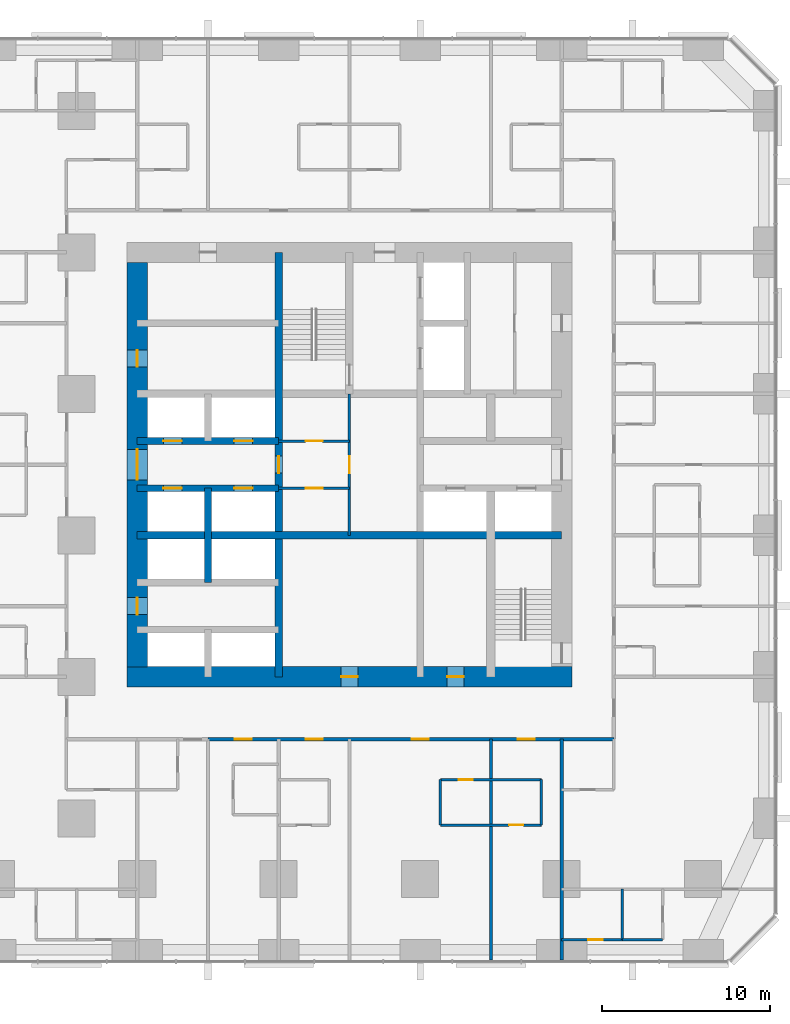
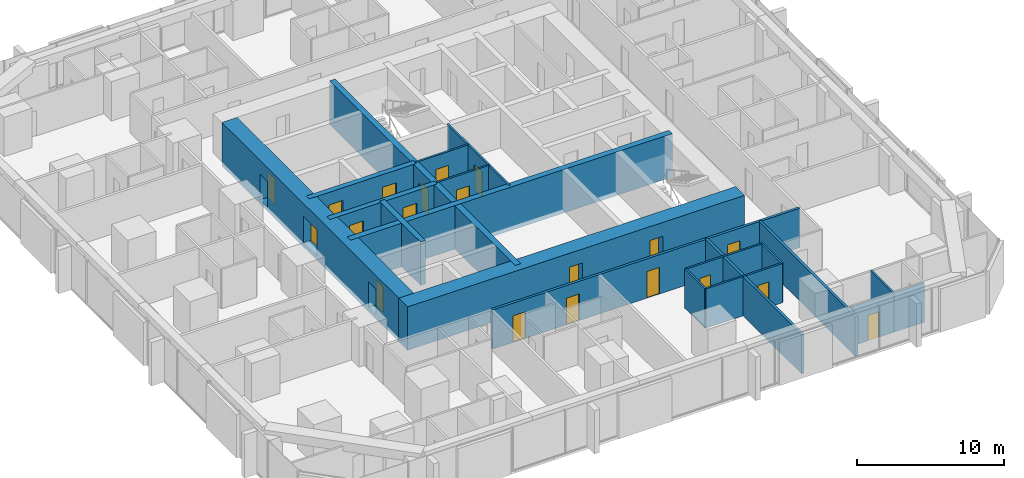
# One storey, part 9 of 13: 20 doors, 20 walls, 20 openings.
"""IFC4 building model written with IfcOpenShell, lengths in metres."""

from ifc_helpers import new_model, si_unit, direction, frame, frame_2d, origin, place, context, subcontext, project, spatial, rectangle, extrude, material, layer, layer_set, type_object, element, fill, save


model = new_model("IFC4")

# Units and contexts
model_context = context("Model", 3, precision=1e-05, world=origin(), true_north=direction((0.0, 1.0)))
body_context = subcontext(model_context, "Body", "Model", "MODEL_VIEW")
ifc_project = project(units=[si_unit("LENGTHUNIT", "METRE"), si_unit("AREAUNIT", "SQUARE_METRE"), si_unit("VOLUMEUNIT", "CUBIC_METRE"), si_unit("PLANEANGLEUNIT", "RADIAN"), si_unit("MASSUNIT", "GRAM", prefix="KILO")], contexts=[model_context])

# Site, building, storey
site_placement = place(None, origin())
site = spatial("IfcSite", under=ifc_project, at=site_placement, CompositionType="ELEMENT")
building_placement = place(site_placement, origin())
building = spatial("IfcBuilding", under=site, at=building_placement, Name="Dunama Terrace Hotel", CompositionType="ELEMENT")
storey_placement = place(building_placement, frame((0.0, 0.0, 144.0)))
storey = spatial("IfcBuildingStorey", under=building, at=storey_placement, Name="L37", CompositionType="ELEMENT", Elevation=144.0)

# Walls
ifc_material_1 = material(Name="Gypsum board partition", Category="masonry")
ifc_layer_1 = layer(ifc_material_1, 0.14990234375)
ifc_layer_set_1 = layer_set([ifc_layer_1], Name="Bathroom partition 150")
wall_type_1 = type_object("IfcWallType", Name="Bathroom partition 150", PredefinedType="PARTITIONING", material=ifc_layer_set_1)
for number, where, z_axis, x_axis, name in (
    (1, (34.800048828125, 8.0, 0.0), (0.0, 0.0, 1.0), (0.0, 1.0, 0.0), "Bathroom partition 150 L37"),
    (2, (40.800048828125, 8.0, 0.0), (0.0, 0.0, 1.0), (0.0, 1.0, 0.0), "Bathroom partition 150 L37"),
):
    element("IfcWall", number, at=place(storey_placement, frame(where, z_axis=z_axis, x_axis=x_axis)), inside=storey, type_object=wall_type_1, Name=name, PredefinedType="PARTITIONING", context=body_context, shape_type="SweptSolid", body=[
        extrude(rectangle(XDim=2.699951171875, YDim=0.14990234375, at=frame_2d((1.35009765625, 0.0))), origin(), (0.0, 0.0, 1.0), 3.25),
    ])

# Wall, opening, door
wall_1_placement = place(storey_placement, frame((42.0, 1.199951171875, 0.0), z_axis=(0.0, 0.0, 1.0), x_axis=(1.0, 0.0, 0.0)))
wall_1 = element("IfcWall", 3, at=wall_1_placement, inside=storey, type_object=wall_type_1, Name="Bathroom partition 150 L37", PredefinedType="PARTITIONING", context=body_context, shape_type="SweptSolid", body=[
    extrude(rectangle(XDim=3.60009765625, YDim=0.14990234375, at=frame_2d((1.800048828125, 0.0))), origin(), (0.0, 0.0, 1.0), 3.25),
])
opening_1_placement = place(wall_1_placement, frame((1.574951171875, 0.0, 0.0)))
opening_1 = element("IfcOpeningElement", 4, at=opening_1_placement, cuts=wall_1, Name="Opening L37-057", PredefinedType="OPENING", context=body_context, shape_type="SweptSolid", body=[
    extrude(rectangle(XDim=0.85009765625, YDim=2.10009765625, at=frame_2d((0.425048828125, 1.050048828125))), frame((0.0, 0.0849609375, 0.0), z_axis=(0.0, -1.0, 0.0), x_axis=(1.0, 0.0, 0.0)), (0.0, 0.0, 1.0), 0.169921875),
])
ifc_material_2 = material(Name="Timber door with steel frame", Category="steel")
door_type_1 = type_object("IfcDoorType", Name="Bathroom door 850", OperationType="SINGLE_SWING_LEFT", PredefinedType="DOOR", material=ifc_material_2)
door_1_placement = place(opening_1_placement, origin())
door_1 = element("IfcDoor", 5, at=door_1_placement, inside=storey, type_object=door_type_1, Name="Door to en-suite bathroom L37-057, type D2", OperationType="SINGLE_SWING_LEFT", OverallHeight=2.10009765625, OverallWidth=0.85009765625, PredefinedType="DOOR", context=body_context, shape_type="SweptSolid", body=[
    extrude(rectangle(XDim=0.85009765625, YDim=2.10009765625, at=frame_2d((0.425048828125, 1.050048828125))), frame((0.0, 0.02490234375, 0.0), z_axis=(0.0, -1.0, 0.0), x_axis=(1.0, 0.0, 0.0)), (0.0, 0.0, 1.0), 0.050048828125),
])
fill(opening_1, door_1)

wall_2_placement = place(storey_placement, frame((34.800048828125, 8.0, 0.0), z_axis=(0.0, 0.0, 1.0), x_axis=(1.0, 0.0, 0.0)))
wall_2 = element("IfcWall", 6, at=wall_2_placement, inside=storey, type_object=wall_type_1, Name="Bathroom partition 150 L37", PredefinedType="PARTITIONING", context=body_context, shape_type="SweptSolid", body=[
    extrude(rectangle(XDim=6.0, YDim=0.14990234375, at=frame_2d((3.0, 0.0))), origin(), (0.0, 0.0, 1.0), 3.25),
])
opening_2_placement = place(wall_2_placement, frame((4.074951171875, 0.0, 0.0)))
opening_2 = element("IfcOpeningElement", 7, at=opening_2_placement, cuts=wall_2, Name="Opening L37-020", PredefinedType="OPENING", context=body_context, shape_type="SweptSolid", body=[
    extrude(rectangle(XDim=0.85009765625, YDim=2.10009765625, at=frame_2d((0.425048828125, 1.050048828125))), frame((0.0, 0.0849609375, 0.0), z_axis=(0.0, -1.0, 0.0), x_axis=(1.0, 0.0, 0.0)), (0.0, 0.0, 1.0), 0.169921875),
])
door_2_placement = place(opening_2_placement, origin())
door_2 = element("IfcDoor", 8, at=door_2_placement, inside=storey, type_object=door_type_1, Name="Door to en-suite bathroom L37-020, type D2", OperationType="SINGLE_SWING_LEFT", OverallHeight=2.10009765625, OverallWidth=0.85009765625, PredefinedType="DOOR", context=body_context, shape_type="SweptSolid", body=[
    extrude(rectangle(XDim=0.85009765625, YDim=2.10009765625, at=frame_2d((0.425048828125, 1.050048828125))), frame((0.0, 0.02490234375, 0.0), z_axis=(0.0, -1.0, 0.0), x_axis=(1.0, 0.0, 0.0)), (0.0, 0.0, 1.0), 0.050048828125),
])
fill(opening_2, door_2)

wall_3_placement = place(storey_placement, frame((34.800048828125, 10.699951171875, 0.0), z_axis=(0.0, 0.0, 1.0), x_axis=(1.0, 0.0, 0.0)))
wall_3 = element("IfcWall", 9, at=wall_3_placement, inside=storey, type_object=wall_type_1, Name="Bathroom partition 150 L37", PredefinedType="PARTITIONING", context=body_context, shape_type="SweptSolid", body=[
    extrude(rectangle(XDim=6.0, YDim=0.14990234375, at=frame_2d((3.0, 0.0))), origin(), (0.0, 0.0, 1.0), 3.25),
])
opening_3_placement = place(wall_3_placement, frame((1.074951171875, 0.0, 0.0)))
opening_3 = element("IfcOpeningElement", 10, at=opening_3_placement, cuts=wall_3, Name="Opening L37-018", PredefinedType="OPENING", context=body_context, shape_type="SweptSolid", body=[
    extrude(rectangle(XDim=0.85009765625, YDim=2.10009765625, at=frame_2d((0.425048828125, 1.050048828125))), frame((0.0, 0.0849609375, 0.0), z_axis=(0.0, -1.0, 0.0), x_axis=(1.0, 0.0, 0.0)), (0.0, 0.0, 1.0), 0.169921875),
])
door_3_placement = place(opening_3_placement, frame((0.85009765625, 0.0, 0.0), z_axis=(0.0, 0.0, 1.0), x_axis=(-1.0, 0.0, 0.0)))
door_3 = element("IfcDoor", 11, at=door_3_placement, inside=storey, type_object=door_type_1, Name="Door to en-suite bathroom L37-018, type D2", OperationType="SINGLE_SWING_LEFT", OverallHeight=2.10009765625, OverallWidth=0.85009765625, PredefinedType="DOOR", context=body_context, shape_type="SweptSolid", body=[
    extrude(rectangle(XDim=0.85009765625, YDim=2.10009765625, at=frame_2d((0.425048828125, 1.050048828125))), frame((0.0, 0.025146484375, 0.0), z_axis=(0.0, -1.0, 0.0), x_axis=(1.0, 0.0, 0.0)), (0.0, 0.0, 1.0), 0.050048828125),
])
fill(opening_3, door_3)

# Wall
ifc_material_3 = material(Name="Concrete C50/60", Category="concrete")
ifc_layer_2 = layer(ifc_material_3, 0.39990234375)
ifc_layer_set_2 = layer_set([ifc_layer_2], Name="Core inner wall 400")
wall_type_2 = type_object("IfcWallType", Name="Core inner wall 400", PredefinedType="SHEAR", material=ifc_layer_set_2)
wall_4_placement = place(storey_placement, frame((21.0, 22.39990234375, -0.35009765625), z_axis=(0.0, 0.0, 1.0), x_axis=(0.0, 1.0, 0.0)))
element("IfcWall", 12, at=wall_4_placement, inside=storey, type_object=wall_type_2, Name="Core inner wall 400 L37", PredefinedType="SHEAR", context=body_context, shape_type="SweptSolid", body=[
    extrude(rectangle(XDim=5.60009765625, YDim=0.39990234375, at=frame_2d((2.800048828125, 0.0))), origin(), (0.0, 0.0, 1.0), 3.60009765625),
])

# Wall, openings, doors
wall_5_placement = place(storey_placement, frame((16.800048828125, 28.0, -0.35009765625), z_axis=(0.0, 0.0, 1.0), x_axis=(1.0, 0.0, 0.0)))
wall_5 = element("IfcWall", 13, at=wall_5_placement, inside=storey, type_object=wall_type_2, Name="Core inner wall 400 L37", PredefinedType="SHEAR", context=body_context, shape_type="SweptSolid", body=[
    extrude(rectangle(XDim=8.39990234375, YDim=0.39990234375, at=frame_2d((4.199951171875, 0.0))), origin(), (0.0, 0.0, 1.0), 3.60009765625),
])
opening_4_placement = place(wall_5_placement, frame((1.550048828125, 0.0, 0.35009765625)))
opening_4 = element("IfcOpeningElement", 14, at=opening_4_placement, cuts=wall_5, Name="Opening L37-005", PredefinedType="OPENING", context=body_context, shape_type="SweptSolid", body=[
    extrude(rectangle(XDim=1.10009765625, YDim=2.199951171875, at=frame_2d((0.550048828125, 1.10009765625))), frame((0.0, 0.2099609375, 0.0), z_axis=(0.0, -1.0, 0.0), x_axis=(1.0, 0.0, 0.0)), (0.0, 0.0, 1.0), 0.419921875),
])
opening_5_placement = place(wall_5_placement, frame((5.75, 0.0, 0.35009765625)))
opening_5 = element("IfcOpeningElement", 15, at=opening_5_placement, cuts=wall_5, Name="Opening L37-006", PredefinedType="OPENING", context=body_context, shape_type="SweptSolid", body=[
    extrude(rectangle(XDim=1.10009765625, YDim=2.199951171875, at=frame_2d((0.550048828125, 1.10009765625))), frame((0.0, 0.2099609375, 0.0), z_axis=(0.0, -1.0, 0.0), x_axis=(1.0, 0.0, 0.0)), (0.0, 0.0, 1.0), 0.419921875),
])
ifc_material_4 = material(Name="Stainless steel lift door", Category="steel")
door_type_2 = type_object("IfcDoorType", Name="Lift landing door 1100", OperationType="DOUBLE_DOOR_SLIDING", PredefinedType="DOOR", material=ifc_material_4)
door_4_placement = place(opening_4_placement, origin())
door_4 = element("IfcDoor", 16, at=door_4_placement, inside=storey, type_object=door_type_2, Name="Landing door PC1 L37-005, type LD1", OperationType="DOUBLE_DOOR_SLIDING", OverallHeight=2.199951171875, OverallWidth=1.10009765625, PredefinedType="DOOR", context=body_context, shape_type="SweptSolid", body=[
    extrude(rectangle(XDim=1.10009765625, YDim=2.199951171875, at=frame_2d((0.550048828125, 1.10009765625))), frame((0.0, 0.02490234375, 0.0), z_axis=(0.0, -1.0, 0.0), x_axis=(1.0, 0.0, 0.0)), (0.0, 0.0, 1.0), 0.050048828125),
])
fill(opening_4, door_4)
door_5_placement = place(opening_5_placement, origin())
door_5 = element("IfcDoor", 17, at=door_5_placement, inside=storey, type_object=door_type_2, Name="Landing door PC2 L37-006, type LD1", OperationType="DOUBLE_DOOR_SLIDING", OverallHeight=2.199951171875, OverallWidth=1.10009765625, PredefinedType="DOOR", context=body_context, shape_type="SweptSolid", body=[
    extrude(rectangle(XDim=1.10009765625, YDim=2.199951171875, at=frame_2d((0.550048828125, 1.10009765625))), frame((0.0, 0.02490234375, 0.0), z_axis=(0.0, -1.0, 0.0), x_axis=(1.0, 0.0, 0.0)), (0.0, 0.0, 1.0), 0.050048828125),
])
fill(opening_5, door_5)

wall_6_placement = place(storey_placement, frame((16.800048828125, 30.800048828125, -0.35009765625), z_axis=(0.0, 0.0, 1.0), x_axis=(1.0, 0.0, 0.0)))
wall_6 = element("IfcWall", 18, at=wall_6_placement, inside=storey, type_object=wall_type_2, Name="Core inner wall 400 L37", PredefinedType="SHEAR", context=body_context, shape_type="SweptSolid", body=[
    extrude(rectangle(XDim=8.39990234375, YDim=0.39990234375, at=frame_2d((4.199951171875, 0.0))), origin(), (0.0, 0.0, 1.0), 3.60009765625),
])
opening_6_placement = place(wall_6_placement, frame((1.550048828125, 0.0, 0.35009765625)))
opening_6 = element("IfcOpeningElement", 19, at=opening_6_placement, cuts=wall_6, Name="Opening L37-007", PredefinedType="OPENING", context=body_context, shape_type="SweptSolid", body=[
    extrude(rectangle(XDim=1.10009765625, YDim=2.199951171875, at=frame_2d((0.550048828125, 1.10009765625))), frame((0.0, 0.2099609375, 0.0), z_axis=(0.0, -1.0, 0.0), x_axis=(1.0, 0.0, 0.0)), (0.0, 0.0, 1.0), 0.419921875),
])
opening_7_placement = place(wall_6_placement, frame((5.75, 0.0, 0.35009765625)))
opening_7 = element("IfcOpeningElement", 20, at=opening_7_placement, cuts=wall_6, Name="Opening L37-008", PredefinedType="OPENING", context=body_context, shape_type="SweptSolid", body=[
    extrude(rectangle(XDim=1.10009765625, YDim=2.199951171875, at=frame_2d((0.550048828125, 1.10009765625))), frame((0.0, 0.2099609375, 0.0), z_axis=(0.0, -1.0, 0.0), x_axis=(1.0, 0.0, 0.0)), (0.0, 0.0, 1.0), 0.419921875),
])
door_6_placement = place(opening_6_placement, origin())
door_6 = element("IfcDoor", 21, at=door_6_placement, inside=storey, type_object=door_type_2, Name="Landing door PC3 L37-007, type LD1", OperationType="DOUBLE_DOOR_SLIDING", OverallHeight=2.199951171875, OverallWidth=1.10009765625, PredefinedType="DOOR", context=body_context, shape_type="SweptSolid", body=[
    extrude(rectangle(XDim=1.10009765625, YDim=2.199951171875, at=frame_2d((0.550048828125, 1.10009765625))), frame((0.0, 0.02490234375, 0.0), z_axis=(0.0, -1.0, 0.0), x_axis=(1.0, 0.0, 0.0)), (0.0, 0.0, 1.0), 0.050048828125),
])
fill(opening_6, door_6)
door_7_placement = place(opening_7_placement, origin())
door_7 = element("IfcDoor", 22, at=door_7_placement, inside=storey, type_object=door_type_2, Name="Landing door PC4 L37-008, type LD1", OperationType="DOUBLE_DOOR_SLIDING", OverallHeight=2.199951171875, OverallWidth=1.10009765625, PredefinedType="DOOR", context=body_context, shape_type="SweptSolid", body=[
    extrude(rectangle(XDim=1.10009765625, YDim=2.199951171875, at=frame_2d((0.550048828125, 1.10009765625))), frame((0.0, 0.02490234375, 0.0), z_axis=(0.0, -1.0, 0.0), x_axis=(1.0, 0.0, 0.0)), (0.0, 0.0, 1.0), 0.050048828125),
])
fill(opening_7, door_7)

# Wall, opening, door
ifc_material_5 = material(Name="Concrete C50/60", Category="concrete")
ifc_layer_3 = layer(ifc_material_5, 0.449951171875)
ifc_layer_set_3 = layer_set([ifc_layer_3], Name="Core inner wall 450")
wall_type_3 = type_object("IfcWallType", Name="Core inner wall 450", PredefinedType="SHEAR", material=ifc_layer_set_3)
wall_7_placement = place(storey_placement, frame((25.199951171875, 16.800048828125, -0.35009765625), z_axis=(0.0, 0.0, 1.0), x_axis=(0.0, 1.0, 0.0)))
wall_7 = element("IfcWall", 23, at=wall_7_placement, inside=storey, type_object=wall_type_3, Name="Core inner wall 450 L37", PredefinedType="SHEAR", context=body_context, shape_type="SweptSolid", body=[
    extrude(rectangle(XDim=25.199951171875, YDim=0.449951171875, at=frame_2d((12.60009765625, 0.0))), origin(), (0.0, 0.0, 1.0), 3.60009765625),
])
opening_8_placement = place(wall_7_placement, frame((12.10009765625, 0.0, 0.35009765625)))
opening_8 = element("IfcOpeningElement", 24, at=opening_8_placement, cuts=wall_7, Name="Opening L37-073", PredefinedType="OPENING", context=body_context, shape_type="SweptSolid", body=[
    extrude(rectangle(XDim=1.0, YDim=2.10009765625, at=frame_2d((0.5, 1.050048828125))), frame((0.0, 0.23486328125, 0.0), z_axis=(0.0, -1.0, 0.0), x_axis=(1.0, 0.0, 0.0)), (0.0, 0.0, 1.0), 0.469970703125),
])
ifc_material_6 = material(Name="Timber door with steel frame", Category="steel")
door_type_3 = type_object("IfcDoorType", Name="Service door 1000", OperationType="SINGLE_SWING_LEFT", PredefinedType="DOOR", material=ifc_material_6)
door_8_placement = place(opening_8_placement, origin())
door_8 = element("IfcDoor", 25, at=door_8_placement, inside=storey, type_object=door_type_3, Name="Door to guest services passage L37-073, type D7", OperationType="SINGLE_SWING_LEFT", OverallHeight=2.10009765625, OverallWidth=1.0, PredefinedType="DOOR", context=body_context, shape_type="SweptSolid", body=[
    extrude(rectangle(XDim=1.0, YDim=2.10009765625, at=frame_2d((0.5, 1.050048828125))), frame((0.0, 0.02490234375, 0.0), z_axis=(0.0, -1.0, 0.0), x_axis=(1.0, 0.0, 0.0)), (0.0, 0.0, 1.0), 0.050048828125),
])
fill(opening_8, door_8)

# Wall
wall_8_placement = place(storey_placement, frame((16.800048828125, 25.199951171875, -0.35009765625), z_axis=(0.0, 0.0, 1.0), x_axis=(1.0, 0.0, 0.0)))
element("IfcWall", 26, at=wall_8_placement, inside=storey, type_object=wall_type_3, Name="Core inner wall 450 L37", PredefinedType="SHEAR", context=body_context, shape_type="SweptSolid", body=[
    extrude(rectangle(XDim=25.199951171875, YDim=0.449951171875, at=frame_2d((12.60009765625, 0.0))), origin(), (0.0, 0.0, 1.0), 3.60009765625),
])

# Wall, openings, doors
ifc_material_7 = material(Name="Concrete C60/75", Category="concrete")
ifc_layer_4 = layer(ifc_material_7, 1.199951171875)
ifc_layer_set_4 = layer_set([ifc_layer_4], Name="Core wall 1200")
wall_type_4 = type_object("IfcWallType", Name="Core wall 1200", PredefinedType="SHEAR", material=ifc_layer_set_4)
wall_9_placement = place(storey_placement, frame((16.199951171875, 16.800048828125, -0.35009765625), z_axis=(0.0, 0.0, 1.0), x_axis=(1.0, 0.0, 0.0)))
wall_9 = element("IfcWall", 27, at=wall_9_placement, inside=storey, type_object=wall_type_4, Name="Core wall south L37", PredefinedType="SHEAR", context=body_context, shape_type="SweptSolid", body=[
    extrude(rectangle(XDim=26.400146484375, YDim=1.199951171875, at=frame_2d((13.2001953125, 0.0))), origin(), (0.0, 0.0, 1.0), 3.60009765625),
])
opening_9_placement = place(wall_9_placement, frame((12.699951171875, 0.0, 0.35009765625)))
opening_9 = element("IfcOpeningElement", 28, at=opening_9_placement, cuts=wall_9, Name="Opening L37-081", PredefinedType="OPENING", context=body_context, shape_type="SweptSolid", body=[
    extrude(rectangle(XDim=1.0, YDim=2.10009765625, at=frame_2d((0.5, 1.050048828125))), frame((0.0, 0.60986328125, 0.0), z_axis=(0.0, -1.0, 0.0), x_axis=(1.0, 0.0, 0.0)), (0.0, 0.0, 1.0), 1.219970703125),
])
opening_10_placement = place(wall_9_placement, frame((19.0, 0.0, 0.35009765625)))
opening_10 = element("IfcOpeningElement", 29, at=opening_10_placement, cuts=wall_9, Name="Opening L37-082", PredefinedType="OPENING", context=body_context, shape_type="SweptSolid", body=[
    extrude(rectangle(XDim=1.0, YDim=2.10009765625, at=frame_2d((0.5, 1.050048828125))), frame((0.0, 0.60986328125, 0.0), z_axis=(0.0, -1.0, 0.0), x_axis=(1.0, 0.0, 0.0)), (0.0, 0.0, 1.0), 1.219970703125),
])
door_9_placement = place(opening_9_placement, origin())
door_9 = element("IfcDoor", 30, at=door_9_placement, inside=storey, type_object=door_type_3, Name="Door to corridor air handling room L37-081, type D7", OperationType="SINGLE_SWING_LEFT", OverallHeight=2.10009765625, OverallWidth=1.0, PredefinedType="DOOR", context=body_context, shape_type="SweptSolid", body=[
    extrude(rectangle(XDim=1.0, YDim=2.10009765625, at=frame_2d((0.5, 1.050048828125))), frame((0.0, 0.02490234375, 0.0), z_axis=(0.0, -1.0, 0.0), x_axis=(1.0, 0.0, 0.0)), (0.0, 0.0, 1.0), 0.050048828125),
])
fill(opening_9, door_9)
door_10_placement = place(opening_10_placement, origin())
door_10 = element("IfcDoor", 31, at=door_10_placement, inside=storey, type_object=door_type_3, Name="Door to water riser room L37-082, type D7", OperationType="SINGLE_SWING_RIGHT", OverallHeight=2.10009765625, OverallWidth=1.0, PredefinedType="DOOR", context=body_context, shape_type="SweptSolid", body=[
    extrude(rectangle(XDim=1.0, YDim=2.10009765625, at=frame_2d((0.5, 1.050048828125))), frame((0.0, 0.02490234375, 0.0), z_axis=(0.0, -1.0, 0.0), x_axis=(1.0, 0.0, 0.0)), (0.0, 0.0, 1.0), 0.050048828125),
])
fill(opening_10, door_10)

wall_10_placement = place(storey_placement, frame((16.800048828125, 41.39990234375, -0.35009765625), z_axis=(0.0, 0.0, 1.0), x_axis=(0.0, -1.0, 0.0)))
wall_10 = element("IfcWall", 32, at=wall_10_placement, inside=storey, type_object=wall_type_4, Name="Core wall west L37", PredefinedType="SHEAR", context=body_context, shape_type="SweptSolid", body=[
    extrude(rectangle(XDim=24.0, YDim=1.199951171875, at=frame_2d((12.0, 0.0))), origin(), (0.0, 0.0, 1.0), 3.60009765625),
])
opening_11_placement = place(wall_10_placement, frame((11.10009765625, 0.0, 0.35009765625)))
opening_11 = element("IfcOpeningElement", 33, at=opening_11_placement, cuts=wall_10, Name="Opening L37-069", PredefinedType="OPENING", context=body_context, shape_type="SweptSolid", body=[
    extrude(rectangle(XDim=1.800048828125, YDim=2.199951171875, at=frame_2d((0.89990234375, 1.10009765625))), frame((0.0, 0.60986328125, 0.0), z_axis=(0.0, -1.0, 0.0), x_axis=(1.0, 0.0, 0.0)), (0.0, 0.0, 1.0), 1.219970703125),
])
opening_12_placement = place(wall_10_placement, frame((19.89990234375, 0.0, 0.35009765625)))
opening_12 = element("IfcOpeningElement", 34, at=opening_12_placement, cuts=wall_10, Name="Opening L37-070", PredefinedType="OPENING", context=body_context, shape_type="SweptSolid", body=[
    extrude(rectangle(XDim=1.0, YDim=2.10009765625, at=frame_2d((0.5, 1.050048828125))), frame((0.0, 0.60986328125, 0.0), z_axis=(0.0, -1.0, 0.0), x_axis=(1.0, 0.0, 0.0)), (0.0, 0.0, 1.0), 1.219970703125),
])
opening_13_placement = place(wall_10_placement, frame((5.199951171875, 0.0, 0.35009765625)))
opening_13 = element("IfcOpeningElement", 35, at=opening_13_placement, cuts=wall_10, Name="Opening L37-071", PredefinedType="OPENING", context=body_context, shape_type="SweptSolid", body=[
    extrude(rectangle(XDim=1.0, YDim=2.10009765625, at=frame_2d((0.5, 1.050048828125))), frame((0.0, 0.60986328125, 0.0), z_axis=(0.0, -1.0, 0.0), x_axis=(1.0, 0.0, 0.0)), (0.0, 0.0, 1.0), 1.219970703125),
])
ifc_material_8 = material(Name="Timber door with steel frame", Category="steel")
door_type_4 = type_object("IfcDoorType", Name="Lift lobby double door 1800", OperationType="DOUBLE_DOOR_DOUBLE_SWING", PredefinedType="DOOR", material=ifc_material_8)
door_11_placement = place(opening_11_placement, origin())
door_11 = element("IfcDoor", 36, at=door_11_placement, inside=storey, type_object=door_type_4, Name="Door to lift lobby L37-069, type D3", OperationType="DOUBLE_DOOR_DOUBLE_SWING", OverallHeight=2.199951171875, OverallWidth=1.800048828125, PredefinedType="DOOR", context=body_context, shape_type="SweptSolid", body=[
    extrude(rectangle(XDim=1.800048828125, YDim=2.199951171875, at=frame_2d((0.89990234375, 1.10009765625))), frame((0.0, 0.02490234375, 0.0), z_axis=(0.0, -1.0, 0.0), x_axis=(1.0, 0.0, 0.0)), (0.0, 0.0, 1.0), 0.050048828125),
])
fill(opening_11, door_11)
door_12_placement = place(opening_12_placement, origin())
door_12 = element("IfcDoor", 37, at=door_12_placement, inside=storey, type_object=door_type_3, Name="Door to service lobby L37-070, type D7", OperationType="SINGLE_SWING_LEFT", OverallHeight=2.10009765625, OverallWidth=1.0, PredefinedType="DOOR", context=body_context, shape_type="SweptSolid", body=[
    extrude(rectangle(XDim=1.0, YDim=2.10009765625, at=frame_2d((0.5, 1.050048828125))), frame((0.0, 0.02490234375, 0.0), z_axis=(0.0, -1.0, 0.0), x_axis=(1.0, 0.0, 0.0)), (0.0, 0.0, 1.0), 0.050048828125),
])
fill(opening_12, door_12)
door_13_placement = place(opening_13_placement, origin())
door_13 = element("IfcDoor", 38, at=door_13_placement, inside=storey, type_object=door_type_3, Name="Door to electrical room L37-071, type D7", OperationType="SINGLE_SWING_RIGHT", OverallHeight=2.10009765625, OverallWidth=1.0, PredefinedType="DOOR", context=body_context, shape_type="SweptSolid", body=[
    extrude(rectangle(XDim=1.0, YDim=2.10009765625, at=frame_2d((0.5, 1.050048828125))), frame((0.0, 0.02490234375, 0.0), z_axis=(0.0, -1.0, 0.0), x_axis=(1.0, 0.0, 0.0)), (0.0, 0.0, 1.0), 0.050048828125),
])
fill(opening_13, door_13)

ifc_material_9 = material(Name="Concrete blockwork", Category="masonry")
ifc_layer_5 = layer(ifc_material_9, 0.199951171875)
ifc_layer_set_5 = layer_set([ifc_layer_5], Name="Corridor partition 200")
wall_type_5 = type_object("IfcWallType", Name="Corridor partition 200", PredefinedType="PARTITIONING", material=ifc_layer_set_5)
wall_11_placement = place(storey_placement, frame((45.10009765625, 13.10009765625, 0.0), z_axis=(0.0, 0.0, 1.0), x_axis=(-1.0, 0.0, 0.0)))
wall_11 = element("IfcWall", 39, at=wall_11_placement, inside=storey, type_object=wall_type_5, Name="Corridor partition 200 L37", PredefinedType="PARTITIONING", context=body_context, shape_type="SweptSolid", body=[
    extrude(rectangle(XDim=24.10009765625, YDim=0.199951171875, at=frame_2d((12.050048828125, 0.0))), origin(), (0.0, 0.0, 1.0), 3.25),
])
opening_14_placement = place(wall_11_placement, frame((21.5, 0.0, 0.0)))
opening_14 = element("IfcOpeningElement", 40, at=opening_14_placement, cuts=wall_11, Name="Opening L37-013", PredefinedType="OPENING", context=body_context, shape_type="SweptSolid", body=[
    extrude(rectangle(XDim=1.0, YDim=2.199951171875, at=frame_2d((0.5, 1.10009765625))), frame((0.0, 0.10986328125, 0.0), z_axis=(0.0, -1.0, 0.0), x_axis=(1.0, 0.0, 0.0)), (0.0, 0.0, 1.0), 0.219970703125),
])
opening_15_placement = place(wall_11_placement, frame((17.300048828125, 0.0, 0.0)))
opening_15 = element("IfcOpeningElement", 41, at=opening_15_placement, cuts=wall_11, Name="Opening L37-015", PredefinedType="OPENING", context=body_context, shape_type="SweptSolid", body=[
    extrude(rectangle(XDim=1.0, YDim=2.199951171875, at=frame_2d((0.5, 1.10009765625))), frame((0.0, 0.10986328125, 0.0), z_axis=(0.0, -1.0, 0.0), x_axis=(1.0, 0.0, 0.0)), (0.0, 0.0, 1.0), 0.219970703125),
])
opening_16_placement = place(wall_11_placement, frame((11.0, 0.0, 0.0)))
opening_16 = element("IfcOpeningElement", 42, at=opening_16_placement, cuts=wall_11, Name="Opening L37-017", PredefinedType="OPENING", context=body_context, shape_type="SweptSolid", body=[
    extrude(rectangle(XDim=1.0, YDim=2.199951171875, at=frame_2d((0.5, 1.10009765625))), frame((0.0, 0.10986328125, 0.0), z_axis=(0.0, -1.0, 0.0), x_axis=(1.0, 0.0, 0.0)), (0.0, 0.0, 1.0), 0.219970703125),
])
opening_17_placement = place(wall_11_placement, frame((4.699951171875, 0.0, 0.0)))
opening_17 = element("IfcOpeningElement", 43, at=opening_17_placement, cuts=wall_11, Name="Opening L37-019", PredefinedType="OPENING", context=body_context, shape_type="SweptSolid", body=[
    extrude(rectangle(XDim=1.0, YDim=2.199951171875, at=frame_2d((0.5, 1.10009765625))), frame((0.0, 0.10986328125, 0.0), z_axis=(0.0, -1.0, 0.0), x_axis=(1.0, 0.0, 0.0)), (0.0, 0.0, 1.0), 0.219970703125),
])
ifc_material_10 = material(Name="Timber door with steel frame", Category="steel")
door_type_5 = type_object("IfcDoorType", Name="Guest room door 1000", OperationType="SINGLE_SWING_LEFT", PredefinedType="DOOR", material=ifc_material_10)
door_14_placement = place(opening_14_placement, origin())
door_14 = element("IfcDoor", 44, at=door_14_placement, inside=storey, type_object=door_type_5, Name="Door to accessible premier room L37-013, type D1", OperationType="SINGLE_SWING_LEFT", OverallHeight=2.199951171875, OverallWidth=1.0, PredefinedType="DOOR", context=body_context, shape_type="SweptSolid", body=[
    extrude(rectangle(XDim=1.0, YDim=2.199951171875, at=frame_2d((0.5, 1.10009765625))), frame((0.0, 0.02490234375, 0.0), z_axis=(0.0, -1.0, 0.0), x_axis=(1.0, 0.0, 0.0)), (0.0, 0.0, 1.0), 0.050048828125),
])
fill(opening_14, door_14)
door_15_placement = place(opening_15_placement, origin())
door_15 = element("IfcDoor", 45, at=door_15_placement, inside=storey, type_object=door_type_5, Name="Door to premier room L37-015, type D1", OperationType="SINGLE_SWING_LEFT", OverallHeight=2.199951171875, OverallWidth=1.0, PredefinedType="DOOR", context=body_context, shape_type="SweptSolid", body=[
    extrude(rectangle(XDim=1.0, YDim=2.199951171875, at=frame_2d((0.5, 1.10009765625))), frame((0.0, 0.02490234375, 0.0), z_axis=(0.0, -1.0, 0.0), x_axis=(1.0, 0.0, 0.0)), (0.0, 0.0, 1.0), 0.050048828125),
])
fill(opening_15, door_15)
door_16_placement = place(opening_16_placement, origin())
door_16 = element("IfcDoor", 46, at=door_16_placement, inside=storey, type_object=door_type_5, Name="Door to junior suite L37-017, type D1", OperationType="SINGLE_SWING_LEFT", OverallHeight=2.199951171875, OverallWidth=1.0, PredefinedType="DOOR", context=body_context, shape_type="SweptSolid", body=[
    extrude(rectangle(XDim=1.0, YDim=2.199951171875, at=frame_2d((0.5, 1.10009765625))), frame((0.0, 0.02490234375, 0.0), z_axis=(0.0, -1.0, 0.0), x_axis=(1.0, 0.0, 0.0)), (0.0, 0.0, 1.0), 0.050048828125),
])
fill(opening_16, door_16)
door_17_placement = place(opening_17_placement, origin())
door_17 = element("IfcDoor", 47, at=door_17_placement, inside=storey, type_object=door_type_5, Name="Door to premier room L37-019, type D1", OperationType="SINGLE_SWING_LEFT", OverallHeight=2.199951171875, OverallWidth=1.0, PredefinedType="DOOR", context=body_context, shape_type="SweptSolid", body=[
    extrude(rectangle(XDim=1.0, YDim=2.199951171875, at=frame_2d((0.5, 1.10009765625))), frame((0.0, 0.02490234375, 0.0), z_axis=(0.0, -1.0, 0.0), x_axis=(1.0, 0.0, 0.0)), (0.0, 0.0, 1.0), 0.050048828125),
])
fill(opening_17, door_17)

# Walls
ifc_material_11 = material(Name="Concrete blockwork", Category="masonry")
ifc_layer_6 = layer(ifc_material_11, 0.199951171875)
ifc_layer_set_6 = layer_set([ifc_layer_6], Name="Party wall 200")
wall_type_6 = type_object("IfcWallType", Name="Party wall 200", PredefinedType="PARTITIONING", material=ifc_layer_set_6)
for number, where, z_axis, x_axis, name in (
    (48, (37.800048828125, -0.01806640625, 0.0), (0.0, 0.0, 1.0), (0.0, 1.0, 0.0), "Party wall 200 L37"),
    (49, (42.0, -0.01806640625, 0.0), (0.0, 0.0, 1.0), (0.0, 1.0, 0.0), "Party wall 200 L37"),
):
    element("IfcWall", number, at=place(storey_placement, frame(where, z_axis=z_axis, x_axis=x_axis)), inside=storey, type_object=wall_type_6, Name=name, PredefinedType="PARTITIONING", context=body_context, shape_type="SweptSolid", body=[
        extrude(rectangle(XDim=13.1181640625, YDim=0.199951171875, at=frame_2d((6.55908203125, 0.0))), origin(), (0.0, 0.0, 1.0), 3.25),
    ])

# Wall, opening, door
ifc_material_12 = material(Name="Gypsum board partition", Category="masonry")
ifc_layer_7 = layer(ifc_material_12, 0.14990234375)
ifc_layer_set_7 = layer_set([ifc_layer_7], Name="Room partition 150")
wall_type_7 = type_object("IfcWallType", Name="Room partition 150", PredefinedType="PARTITIONING", material=ifc_layer_set_7)
wall_12_placement = place(storey_placement, frame((29.39990234375, 25.199951171875, 0.0), z_axis=(0.0, 0.0, 1.0), x_axis=(0.0, 1.0, 0.0)))
wall_12 = element("IfcWall", 50, at=wall_12_placement, inside=storey, type_object=wall_type_7, Name="Room partition 150 L37", PredefinedType="PARTITIONING", context=body_context, shape_type="SweptSolid", body=[
    extrude(rectangle(XDim=8.400146484375, YDim=0.14990234375, at=frame_2d((4.2001953125, 0.0))), origin(), (0.0, 0.0, 1.0), 3.25),
])
opening_18_placement = place(wall_12_placement, frame((3.699951171875, 0.0, 0.0)))
opening_18 = element("IfcOpeningElement", 51, at=opening_18_placement, cuts=wall_12, Name="Opening L37-076", PredefinedType="OPENING", context=body_context, shape_type="SweptSolid", body=[
    extrude(rectangle(XDim=1.0, YDim=2.10009765625, at=frame_2d((0.5, 1.050048828125))), frame((0.0, 0.0849609375, 0.0), z_axis=(0.0, -1.0, 0.0), x_axis=(1.0, 0.0, 0.0)), (0.0, 0.0, 1.0), 0.169921875),
])
door_18_placement = place(opening_18_placement, frame((1.0, 0.0, 0.0), z_axis=(0.0, 0.0, 1.0), x_axis=(-1.0, 0.0, 0.0)))
door_18 = element("IfcDoor", 52, at=door_18_placement, inside=storey, type_object=door_type_3, Name="Door to guest laundry room L37-076, type D7", OperationType="SINGLE_SWING_RIGHT", OverallHeight=2.10009765625, OverallWidth=1.0, PredefinedType="DOOR", context=body_context, shape_type="SweptSolid", body=[
    extrude(rectangle(XDim=1.0, YDim=2.10009765625, at=frame_2d((0.5, 1.050048828125))), frame((0.0, 0.025146484375, 0.0), z_axis=(0.0, -1.0, 0.0), x_axis=(1.0, 0.0, 0.0)), (0.0, 0.0, 1.0), 0.050048828125),
])
fill(opening_18, door_18)

# Walls
wall_13_placement = place(storey_placement, frame((45.60009765625, 1.199951171875, 0.0), z_axis=(0.0, 0.0, 1.0), x_axis=(0.0, 1.0, 0.0)))
element("IfcWall", 53, at=wall_13_placement, inside=storey, type_object=wall_type_7, Name="Room partition 150 L37", PredefinedType="PARTITIONING", context=body_context, shape_type="SweptSolid", body=[
    extrude(rectangle(XDim=3.0, YDim=0.14990234375, at=frame_2d((1.5, 0.0))), origin(), (0.0, 0.0, 1.0), 3.25),
])
wall_14_placement = place(storey_placement, frame((45.60009765625, 1.199951171875, 0.0), z_axis=(0.0, 0.0, 1.0), x_axis=(1.0, 0.0, 0.0)))
element("IfcWall", 54, at=wall_14_placement, inside=storey, type_object=wall_type_7, Name="Room partition 150 L37", PredefinedType="PARTITIONING", context=body_context, shape_type="SweptSolid", body=[
    extrude(rectangle(XDim=2.39990234375, YDim=0.14990234375, at=frame_2d((1.199951171875, 0.0))), origin(), (0.0, 0.0, 1.0), 3.25),
])

# Wall, opening, door
wall_15_placement = place(storey_placement, frame((25.199951171875, 28.0, 0.0), z_axis=(0.0, 0.0, 1.0), x_axis=(1.0, 0.0, 0.0)))
wall_15 = element("IfcWall", 55, at=wall_15_placement, inside=storey, type_object=wall_type_7, Name="Room partition 150 L37", PredefinedType="PARTITIONING", context=body_context, shape_type="SweptSolid", body=[
    extrude(rectangle(XDim=4.199951171875, YDim=0.14990234375, at=frame_2d((2.10009765625, 0.0))), origin(), (0.0, 0.0, 1.0), 3.25),
])
opening_19_placement = place(wall_15_placement, frame((1.60009765625, 0.0, 0.0)))
opening_19 = element("IfcOpeningElement", 56, at=opening_19_placement, cuts=wall_15, Name="Opening L37-074", PredefinedType="OPENING", context=body_context, shape_type="SweptSolid", body=[
    extrude(rectangle(XDim=1.0, YDim=2.10009765625, at=frame_2d((0.5, 1.050048828125))), frame((0.0, 0.0849609375, 0.0), z_axis=(0.0, -1.0, 0.0), x_axis=(1.0, 0.0, 0.0)), (0.0, 0.0, 1.0), 0.169921875),
])
door_19_placement = place(opening_19_placement, frame((1.0, 0.0, 0.0), z_axis=(0.0, 0.0, 1.0), x_axis=(-1.0, 0.0, 0.0)))
door_19 = element("IfcDoor", 57, at=door_19_placement, inside=storey, type_object=door_type_3, Name="Door to guest business corner L37-074, type D7", OperationType="SINGLE_SWING_RIGHT", OverallHeight=2.10009765625, OverallWidth=1.0, PredefinedType="DOOR", context=body_context, shape_type="SweptSolid", body=[
    extrude(rectangle(XDim=1.0, YDim=2.10009765625, at=frame_2d((0.5, 1.050048828125))), frame((0.0, 0.025146484375, 0.0), z_axis=(0.0, -1.0, 0.0), x_axis=(1.0, 0.0, 0.0)), (0.0, 0.0, 1.0), 0.050048828125),
])
fill(opening_19, door_19)

wall_16_placement = place(storey_placement, frame((25.199951171875, 30.800048828125, 0.0), z_axis=(0.0, 0.0, 1.0), x_axis=(1.0, 0.0, 0.0)))
wall_16 = element("IfcWall", 58, at=wall_16_placement, inside=storey, type_object=wall_type_7, Name="Room partition 150 L37", PredefinedType="PARTITIONING", context=body_context, shape_type="SweptSolid", body=[
    extrude(rectangle(XDim=4.199951171875, YDim=0.14990234375, at=frame_2d((2.10009765625, 0.0))), origin(), (0.0, 0.0, 1.0), 3.25),
])
opening_20_placement = place(wall_16_placement, frame((1.60009765625, 0.0, 0.0)))
opening_20 = element("IfcOpeningElement", 59, at=opening_20_placement, cuts=wall_16, Name="Opening L37-075", PredefinedType="OPENING", context=body_context, shape_type="SweptSolid", body=[
    extrude(rectangle(XDim=1.0, YDim=2.10009765625, at=frame_2d((0.5, 1.050048828125))), frame((0.0, 0.0849609375, 0.0), z_axis=(0.0, -1.0, 0.0), x_axis=(1.0, 0.0, 0.0)), (0.0, 0.0, 1.0), 0.169921875),
])
door_20_placement = place(opening_20_placement, origin())
door_20 = element("IfcDoor", 60, at=door_20_placement, inside=storey, type_object=door_type_3, Name="Door to guest luggage room L37-075, type D7", OperationType="SINGLE_SWING_LEFT", OverallHeight=2.10009765625, OverallWidth=1.0, PredefinedType="DOOR", context=body_context, shape_type="SweptSolid", body=[
    extrude(rectangle(XDim=1.0, YDim=2.10009765625, at=frame_2d((0.5, 1.050048828125))), frame((0.0, 0.02490234375, 0.0), z_axis=(0.0, -1.0, 0.0), x_axis=(1.0, 0.0, 0.0)), (0.0, 0.0, 1.0), 0.050048828125),
])
fill(opening_20, door_20)

save(model, "model.ifc")
